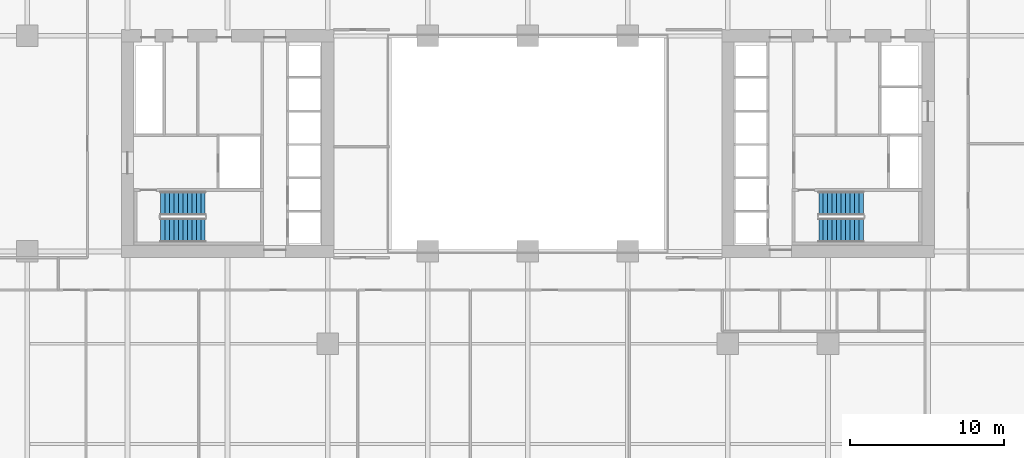
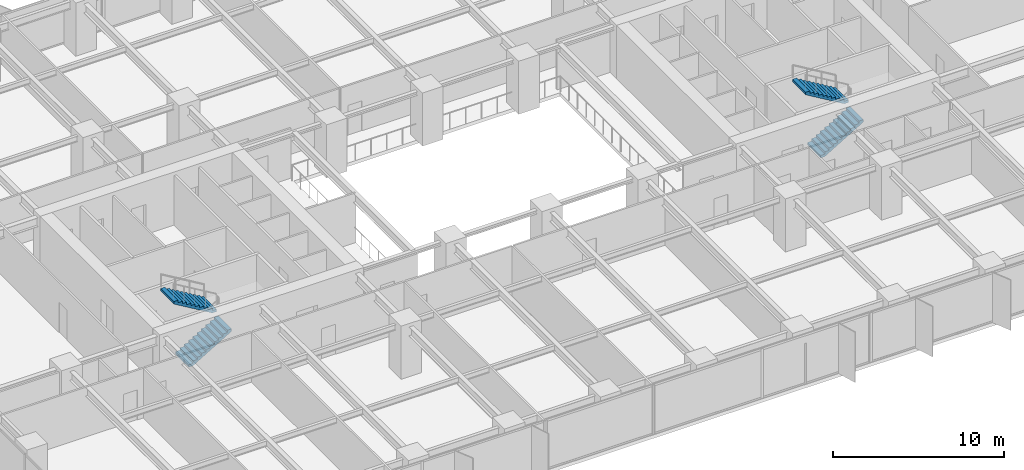
# One storey, part 16 of 20: 4 stair flights, 2 elements without a shape of their own.
"""IFC4 building model written with IfcOpenShell, lengths in metres."""

from ifc_helpers import new_model, si_unit, direction, frame, origin, place, context, subcontext, project, spatial, polyline, outline, extrude, material, type_object, element, aggregate, save


model = new_model("IFC4")

# Units and contexts
model_context = context("Model", 3, precision=1e-05, world=origin(), true_north=direction((0.0, 1.0)))
body_context = subcontext(model_context, "Body", "Model", "MODEL_VIEW")
ifc_project = project(units=[si_unit("LENGTHUNIT", "METRE"), si_unit("AREAUNIT", "SQUARE_METRE"), si_unit("VOLUMEUNIT", "CUBIC_METRE"), si_unit("PLANEANGLEUNIT", "RADIAN"), si_unit("MASSUNIT", "GRAM", prefix="KILO")], contexts=[model_context])

# Site, building, storey
site_placement = place(None, origin())
site = spatial("IfcSite", under=ifc_project, at=site_placement, CompositionType="ELEMENT")
building_placement = place(site_placement, origin())
building = spatial("IfcBuilding", under=site, at=building_placement, Name="Putna Gate Headquarters", CompositionType="ELEMENT")
storey_placement = place(building_placement, frame((0.0, 0.0, 62.0)))
storey = spatial("IfcBuildingStorey", under=building, at=storey_placement, Name="L14", CompositionType="ELEMENT", Elevation=62.0)

# Stair, stair flights
ifc_material = material(Name="Concrete C40/50", Category="concrete")
stair_type_1 = type_object("IfcStairType", Name="STAIR-ST1", PredefinedType="HALF_TURN_STAIR", material=ifc_material)
stair_1_placement = place(storey_placement, origin())
stair_1 = element("IfcStair", 1, at=stair_1_placement, inside=storey, type_object=stair_type_1, Name="L14 West Core Exit Stair ST1", PredefinedType="HALF_TURN_STAIR")
stair_flight_type_1 = type_object("IfcStairFlightType", Name="FLIGHT-ST1", PredefinedType="STRAIGHT", material=ifc_material)
stair_flight_1_placement = place(storey_placement, frame((15.14990234375, 20.375, 0.0), z_axis=(0.0, 0.0, 1.0), x_axis=(1.0, 0.0, 0.0)))
stair_flight_1 = element("IfcStairFlight", 2, at=stair_flight_1_placement, type_object=stair_flight_type_1, Name="ST1 flight 1", NumberOfRisers=11, NumberOfTreads=10, PredefinedType="STRAIGHT", RiserHeight=0.172727273, TreadLength=0.29, context=body_context, shape_type="SweptSolid", body=[
    extrude(outline(polyline([(0.0, 0.0), (0.0, 0.172607421875), (0.2900390625, 0.172607421875), (0.2900390625, 0.345458984375), (0.580078125, 0.345458984375), (0.580078125, 0.51806640625), (0.8701171875, 0.51806640625), (0.8701171875, 0.69091796875), (1.159912109375, 0.69091796875), (1.159912109375, 0.863525390625), (1.449951171875, 0.863525390625), (1.449951171875, 1.036376953125), (1.739990234375, 1.036376953125), (1.739990234375, 1.208984375), (2.030029296875, 1.208984375), (2.030029296875, 1.3818359375), (2.320068359375, 1.3818359375), (2.320068359375, 1.554443359375), (2.610107421875, 1.554443359375), (2.610107421875, 1.727294921875), (2.89990234375, 1.727294921875), (2.89990234375, 1.89990234375), (2.89990234375, 1.552734375), (0.29296875, 0.0), (0.0, 0.0)])), frame((0.0, 0.77490234375, 0.0), z_axis=(0.0, -1.0, 0.0), x_axis=(1.0, 0.0, 0.0)), (0.0, 0.0, 1.0), 1.550048828125),
])
stair_flight_2_placement = place(storey_placement, frame((18.050048828125, 22.125, 1.89990234375), z_axis=(0.0, 0.0, 1.0), x_axis=(-1.0, 0.0, 0.0)))
stair_flight_2 = element("IfcStairFlight", 3, at=stair_flight_2_placement, type_object=stair_flight_type_1, Name="ST1 flight 2", NumberOfRisers=11, NumberOfTreads=10, PredefinedType="STRAIGHT", RiserHeight=0.172727273, TreadLength=0.29, context=body_context, shape_type="SweptSolid", body=[
    extrude(outline(polyline([(0.0, 0.0), (0.0, 0.172607421875), (0.2900390625, 0.172607421875), (0.2900390625, 0.345458984375), (0.580078125, 0.345458984375), (0.580078125, 0.51806640625), (0.8701171875, 0.51806640625), (0.8701171875, 0.69091796875), (1.159912109375, 0.69091796875), (1.159912109375, 0.863525390625), (1.449951171875, 0.863525390625), (1.449951171875, 1.036376953125), (1.739990234375, 1.036376953125), (1.739990234375, 1.208984375), (2.030029296875, 1.208984375), (2.030029296875, 1.3818359375), (2.320068359375, 1.3818359375), (2.320068359375, 1.554443359375), (2.610107421875, 1.554443359375), (2.610107421875, 1.727294921875), (2.89990234375, 1.727294921875), (2.89990234375, 1.89990234375), (2.89990234375, 1.552734375), (0.29296875, 0.0), (0.0, 0.0)])), frame((0.0, 0.77490234375, 0.0), z_axis=(0.0, -1.0, 0.0), x_axis=(1.0, 0.0, 0.0)), (0.0, 0.0, 1.0), 1.550048828125),
])
aggregate(stair_1, [stair_flight_1, stair_flight_2])

stair_type_2 = type_object("IfcStairType", Name="STAIR-ST2", PredefinedType="HALF_TURN_STAIR", material=ifc_material)
stair_2_placement = place(storey_placement, origin())
stair_2 = element("IfcStair", 4, at=stair_2_placement, inside=storey, type_object=stair_type_2, Name="L14 East Core Exit Stair ST2", PredefinedType="HALF_TURN_STAIR")
stair_flight_type_2 = type_object("IfcStairFlightType", Name="FLIGHT-ST2", PredefinedType="STRAIGHT", material=ifc_material)
stair_flight_3_placement = place(storey_placement, frame((57.89990234375, 20.375, 0.0), z_axis=(0.0, 0.0, 1.0), x_axis=(1.0, 0.0, 0.0)))
stair_flight_3 = element("IfcStairFlight", 5, at=stair_flight_3_placement, type_object=stair_flight_type_2, Name="ST2 flight 1", NumberOfRisers=11, NumberOfTreads=10, PredefinedType="STRAIGHT", RiserHeight=0.172727273, TreadLength=0.29, context=body_context, shape_type="SweptSolid", body=[
    extrude(outline(polyline([(0.0, 0.0), (0.0, 0.172607421875), (0.2900390625, 0.172607421875), (0.2900390625, 0.345458984375), (0.580078125, 0.345458984375), (0.580078125, 0.51806640625), (0.8701171875, 0.51806640625), (0.8701171875, 0.69091796875), (1.159912109375, 0.69091796875), (1.159912109375, 0.863525390625), (1.449951171875, 0.863525390625), (1.449951171875, 1.036376953125), (1.739990234375, 1.036376953125), (1.739990234375, 1.208984375), (2.030029296875, 1.208984375), (2.030029296875, 1.3818359375), (2.320068359375, 1.3818359375), (2.320068359375, 1.554443359375), (2.610107421875, 1.554443359375), (2.610107421875, 1.727294921875), (2.89990234375, 1.727294921875), (2.89990234375, 1.89990234375), (2.89990234375, 1.552734375), (0.29296875, 0.0), (0.0, 0.0)])), frame((0.0, 0.77490234375, 0.0), z_axis=(0.0, -1.0, 0.0), x_axis=(1.0, 0.0, 0.0)), (0.0, 0.0, 1.0), 1.550048828125),
])
stair_flight_4_placement = place(storey_placement, frame((60.800048828125, 22.125, 1.89990234375), z_axis=(0.0, 0.0, 1.0), x_axis=(-1.0, 0.0, 0.0)))
stair_flight_4 = element("IfcStairFlight", 6, at=stair_flight_4_placement, type_object=stair_flight_type_2, Name="ST2 flight 2", NumberOfRisers=11, NumberOfTreads=10, PredefinedType="STRAIGHT", RiserHeight=0.172727273, TreadLength=0.29, context=body_context, shape_type="SweptSolid", body=[
    extrude(outline(polyline([(0.0, 0.0), (0.0, 0.172607421875), (0.2900390625, 0.172607421875), (0.2900390625, 0.345458984375), (0.580078125, 0.345458984375), (0.580078125, 0.51806640625), (0.8701171875, 0.51806640625), (0.8701171875, 0.69091796875), (1.159912109375, 0.69091796875), (1.159912109375, 0.863525390625), (1.449951171875, 0.863525390625), (1.449951171875, 1.036376953125), (1.739990234375, 1.036376953125), (1.739990234375, 1.208984375), (2.030029296875, 1.208984375), (2.030029296875, 1.3818359375), (2.320068359375, 1.3818359375), (2.320068359375, 1.554443359375), (2.610107421875, 1.554443359375), (2.610107421875, 1.727294921875), (2.89990234375, 1.727294921875), (2.89990234375, 1.89990234375), (2.89990234375, 1.552734375), (0.29296875, 0.0), (0.0, 0.0)])), frame((0.0, 0.77490234375, 0.0), z_axis=(0.0, -1.0, 0.0), x_axis=(1.0, 0.0, 0.0)), (0.0, 0.0, 1.0), 1.550048828125),
])
aggregate(stair_2, [stair_flight_3, stair_flight_4])

save(model, "model.ifc")
